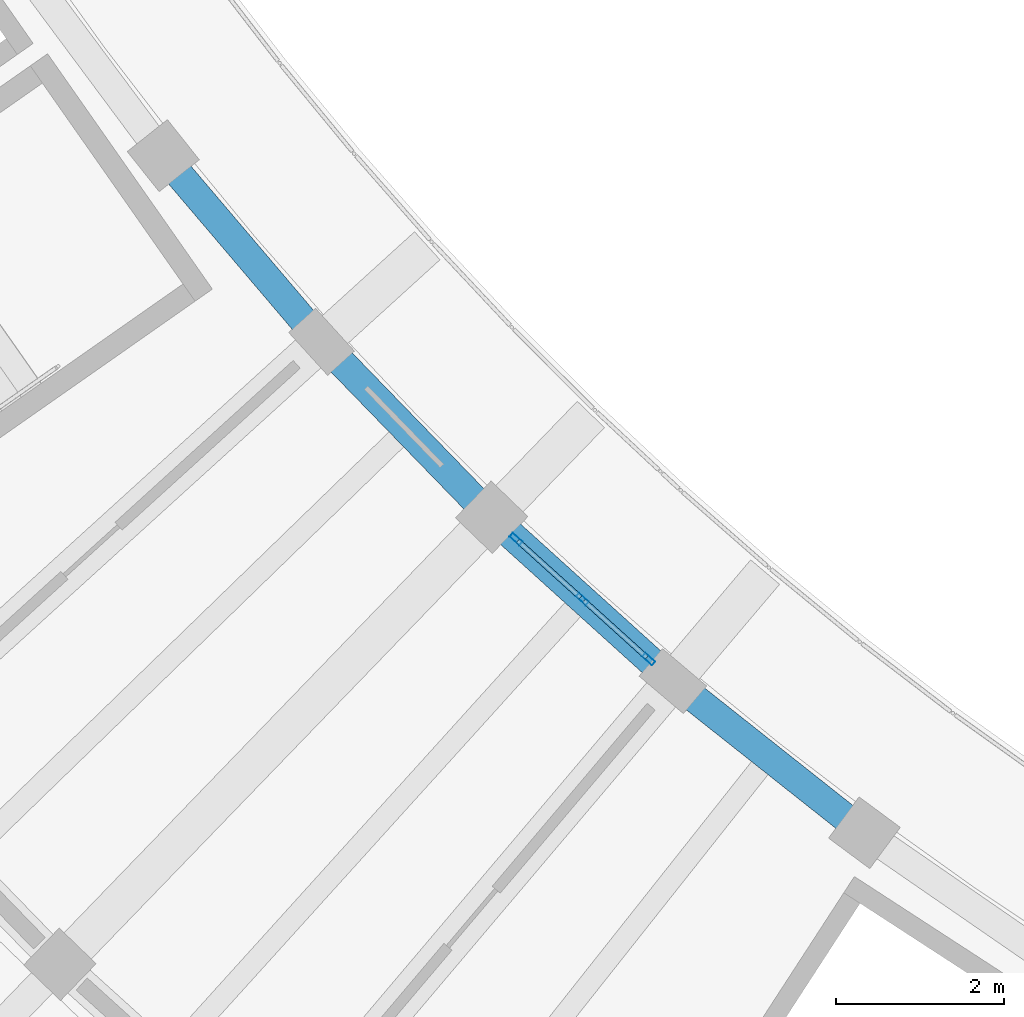
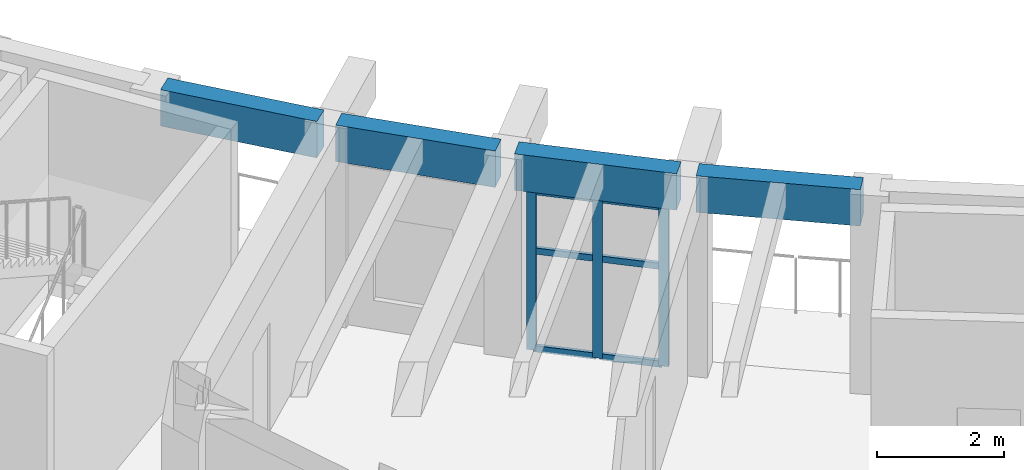
# One storey, part 7 of 128: 9 members, 4 beams, 1 element without a shape of its own.
"""IFC4 building model written with IfcOpenShell, lengths in metres."""

from ifc_helpers import new_model, si_unit, direction, frame, origin, origin_2d, place, context, subcontext, project, spatial, rectangle, hollow_rectangle, extrude, material, material_profile, profile_set, type_object, element, aggregate, save


model = new_model("IFC4")

# Units and contexts
model_context = context("Model", 3, precision=1e-05, world=origin(), true_north=direction((0.0, 1.0)))
body_context = subcontext(model_context, "Body", "Model", "MODEL_VIEW")
ifc_project = project(units=[si_unit("LENGTHUNIT", "METRE"), si_unit("AREAUNIT", "SQUARE_METRE"), si_unit("VOLUMEUNIT", "CUBIC_METRE"), si_unit("PLANEANGLEUNIT", "RADIAN"), si_unit("MASSUNIT", "GRAM", prefix="KILO")], contexts=[model_context])

# Site, building, storey
site_placement = place(None, origin())
site = spatial("IfcSite", under=ifc_project, at=site_placement, CompositionType="ELEMENT")
building_placement = place(site_placement, origin())
building = spatial("IfcBuilding", under=site, at=building_placement, Name="Tanwirah Colonnade Gardens", CompositionType="ELEMENT")
storey_placement = place(building_placement, frame((0.0, 0.0, 4.760009765625)))
storey = spatial("IfcBuildingStorey", under=building, at=storey_placement, Name="L01", CompositionType="ELEMENT", Elevation=4.760009765625)

# Curtain wall, members
ifc_material_1 = material(Name="Bronze-anodised aluminium and solar-control low-E glass", Category="aluminium")
curtain_wall_type = type_object("IfcCurtainWallType", Name="CW-GDN", PredefinedType="NOTDEFINED", material=ifc_material_1)
curtain_wall_placement = place(storey_placement, origin())
curtain_wall = element("IfcCurtainWall", 1, at=curtain_wall_placement, inside=storey, type_object=curtain_wall_type, Name="Curtain Wall CW-C-L01-IN-08", PredefinedType="NOTDEFINED")
ifc_material_2 = material(Name="Bronze-anodised aluminium", Category="aluminium")
ifc_material_profile_1 = material_profile(ifc_material_2, hollow_rectangle(XDim=0.06005859375, YDim=0.159912109375, WallThickness=0.00390625, at=origin_2d()), Name="CW-MUL 60x160x4")
ifc_profile_set_1 = profile_set([ifc_material_profile_1], Name="Bronze-anodised aluminium")
member_type_1 = type_object("IfcMemberType", Name="CWM-60x160", PredefinedType="MULLION", material=ifc_profile_set_1)
member_1_placement = place(storey_placement, frame((34.41162109375, 32.263671875, 0.0), z_axis=(0.0, 0.0, 1.0), x_axis=(0.670750964954, 0.741682643058, 0.0)))
member_1 = element("IfcMember", 2, at=member_1_placement, type_object=member_type_1, Name="CW-GDN mullion 1", PredefinedType="MULLION", context=body_context, shape_type="SweptSolid", body=[
    extrude(hollow_rectangle(XDim=0.06005859375, YDim=0.159912109375, WallThickness=0.00390625, at=origin_2d()), origin(), (0.0, 0.0, 1.0), 3.074951171875),
])
member_2_placement = place(storey_placement, frame((35.201171875, 31.5498046875, 0.0), z_axis=(0.0, 0.0, 1.0), x_axis=(0.670750964954, 0.741682643058, 0.0)))
member_2 = element("IfcMember", 3, at=member_2_placement, type_object=member_type_1, Name="CW-GDN mullion 2", PredefinedType="MULLION", context=body_context, shape_type="SweptSolid", body=[
    extrude(hollow_rectangle(XDim=0.06005859375, YDim=0.159912109375, WallThickness=0.00390625, at=origin_2d()), origin(), (0.0, 0.0, 1.0), 3.074951171875),
])
member_3_placement = place(storey_placement, frame((35.990478515625, 30.8359375, 0.0), z_axis=(0.0, 0.0, 1.0), x_axis=(0.670750964954, 0.741682643058, 0.0)))
member_3 = element("IfcMember", 4, at=member_3_placement, type_object=member_type_1, Name="CW-GDN mullion 3", PredefinedType="MULLION", context=body_context, shape_type="SweptSolid", body=[
    extrude(hollow_rectangle(XDim=0.06005859375, YDim=0.159912109375, WallThickness=0.00390625, at=origin_2d()), origin(), (0.0, 0.0, 1.0), 3.074951171875),
])
ifc_material_profile_2 = material_profile(ifc_material_2, hollow_rectangle(XDim=0.06005859375, YDim=0.1201171875, WallThickness=0.00390625, at=origin_2d()), Name="CW-TRN 60x120x4")
ifc_profile_set_2 = profile_set([ifc_material_profile_2], Name="Bronze-anodised aluminium")
member_type_2 = type_object("IfcMemberType", Name="CWT-60x120", PredefinedType="USERDEFINED", material=ifc_profile_set_2)
member_4_placement = place(storey_placement, frame((34.433837890625, 32.24365234375, 0.030029296875), z_axis=(0.741817868758, -0.67060140888, 0.0), x_axis=(0.67060140888, 0.741817868758, 0.0)))
member_4 = element("IfcMember", 5, at=member_4_placement, type_object=member_type_2, Name="CW-GDN transom 1.1", ObjectType="TRANSOM", PredefinedType="USERDEFINED", context=body_context, shape_type="SweptSolid", body=[
    extrude(hollow_rectangle(XDim=0.06005859375, YDim=0.1201171875, WallThickness=0.00390625, at=origin_2d()), origin(), (0.0, 0.0, 1.0), 1.00439453125),
])
member_5_placement = place(storey_placement, frame((34.433837890625, 32.24365234375, 1.906494140625), z_axis=(0.741817868758, -0.67060140888, 0.0), x_axis=(0.67060140888, 0.741817868758, 0.0)))
member_5 = element("IfcMember", 6, at=member_5_placement, type_object=member_type_2, Name="CW-GDN transom 1.2", ObjectType="TRANSOM", PredefinedType="USERDEFINED", context=body_context, shape_type="SweptSolid", body=[
    extrude(hollow_rectangle(XDim=0.06005859375, YDim=0.1201171875, WallThickness=0.00390625, at=origin_2d()), origin(), (0.0, 0.0, 1.0), 1.00439453125),
])
member_6_placement = place(storey_placement, frame((34.433837890625, 32.24365234375, 3.044921875), z_axis=(0.741817868758, -0.67060140888, 0.0), x_axis=(0.67060140888, 0.741817868758, 0.0)))
member_6 = element("IfcMember", 7, at=member_6_placement, type_object=member_type_2, Name="CW-GDN transom 1.3", ObjectType="TRANSOM", PredefinedType="USERDEFINED", context=body_context, shape_type="SweptSolid", body=[
    extrude(hollow_rectangle(XDim=0.06005859375, YDim=0.1201171875, WallThickness=0.00390625, at=origin_2d()), origin(), (0.0, 0.0, 1.0), 1.00439453125),
])
member_7_placement = place(storey_placement, frame((35.223388671875, 31.52978515625, 0.030029296875), z_axis=(0.741587602232, -0.67085604135, 0.0), x_axis=(0.67085604135, 0.741587602232, 0.0)))
member_7 = element("IfcMember", 8, at=member_7_placement, type_object=member_type_2, Name="CW-GDN transom 2.1", ObjectType="TRANSOM", PredefinedType="USERDEFINED", context=body_context, shape_type="SweptSolid", body=[
    extrude(hollow_rectangle(XDim=0.06005859375, YDim=0.1201171875, WallThickness=0.00390625, at=origin_2d()), origin(), (0.0, 0.0, 1.0), 1.00439453125),
])
member_8_placement = place(storey_placement, frame((35.223388671875, 31.52978515625, 1.906494140625), z_axis=(0.741587602232, -0.67085604135, 0.0), x_axis=(0.67085604135, 0.741587602232, 0.0)))
member_8 = element("IfcMember", 9, at=member_8_placement, type_object=member_type_2, Name="CW-GDN transom 2.2", ObjectType="TRANSOM", PredefinedType="USERDEFINED", context=body_context, shape_type="SweptSolid", body=[
    extrude(hollow_rectangle(XDim=0.06005859375, YDim=0.1201171875, WallThickness=0.00390625, at=origin_2d()), origin(), (0.0, 0.0, 1.0), 1.00439453125),
])
member_9_placement = place(storey_placement, frame((35.223388671875, 31.52978515625, 3.044921875), z_axis=(0.741587602232, -0.67085604135, 0.0), x_axis=(0.67085604135, 0.741587602232, 0.0)))
member_9 = element("IfcMember", 10, at=member_9_placement, type_object=member_type_2, Name="CW-GDN transom 2.3", ObjectType="TRANSOM", PredefinedType="USERDEFINED", context=body_context, shape_type="SweptSolid", body=[
    extrude(hollow_rectangle(XDim=0.06005859375, YDim=0.1201171875, WallThickness=0.00390625, at=origin_2d()), origin(), (0.0, 0.0, 1.0), 1.00439453125),
])
aggregate(curtain_wall, [member_1, member_2, member_3, member_4, member_5, member_6, member_7, member_8, member_9])

# Beams
ifc_material_3 = material(Name="Precast concrete C45/55", Category="concrete")
ifc_material_profile_3 = material_profile(ifc_material_3, rectangle(XDim=0.340087890625, YDim=0.699951171875, at=origin_2d()), Name="PC-SP 340x700")
ifc_profile_set_3 = profile_set([ifc_material_profile_3], Name="Precast concrete C45/55")
beam_type = type_object("IfcBeamType", Name="SP-PC340", PredefinedType="SPANDREL", material=ifc_profile_set_3)
beam_1_placement = place(storey_placement, frame((30.310302734375, 36.71484375, 3.47509765625), z_axis=(0.647811402053, -0.761800753065, 0.0), x_axis=(0.761800753065, 0.647811402053, 0.0)))
element("IfcBeam", 11, at=beam_1_placement, inside=storey, type_object=beam_type, Name="Block C L01 Circumferential Beam 6-R0", PredefinedType="SPANDREL", context=body_context, shape_type="SweptSolid", body=[
    extrude(rectangle(XDim=0.340087890625, YDim=0.699951171875, at=origin_2d()), origin(), (0.0, 0.0, 1.0), 2.608642578125),
])
beam_2_placement = place(storey_placement, frame((32.20166015625, 34.505615234375, 3.47509765625), z_axis=(0.696262751108, -0.717787002822, 0.0), x_axis=(0.717787002822, 0.696262751108, 0.0)))
element("IfcBeam", 12, at=beam_2_placement, inside=storey, type_object=beam_type, Name="Block C L01 Circumferential Beam 7-R0", PredefinedType="SPANDREL", context=body_context, shape_type="SweptSolid", body=[
    extrude(rectangle(XDim=0.340087890625, YDim=0.699951171875, at=origin_2d()), origin(), (0.0, 0.0, 1.0), 2.60888671875),
])
beam_3_placement = place(storey_placement, frame((34.233642578125, 32.4248046875, 3.47509765625), z_axis=(0.741686528432, -0.670746668678, 0.0), x_axis=(0.670746668678, 0.741686528432, 0.0)))
element("IfcBeam", 13, at=beam_3_placement, inside=storey, type_object=beam_type, Name="Block C L01 Circumferential Beam 8-R0", PredefinedType="SPANDREL", context=body_context, shape_type="SweptSolid", body=[
    extrude(rectangle(XDim=0.340087890625, YDim=0.699951171875, at=origin_2d()), origin(), (0.0, 0.0, 1.0), 2.608642578125),
])
beam_4_placement = place(storey_placement, frame((36.3974609375, 30.481201171875, 3.47509765625), z_axis=(0.783945239852, -0.62082997746, 0.0), x_axis=(0.62082997746, 0.783945239852, 0.0)))
element("IfcBeam", 14, at=beam_4_placement, inside=storey, type_object=beam_type, Name="Block C L01 Circumferential Beam 9-R0", PredefinedType="SPANDREL", context=body_context, shape_type="SweptSolid", body=[
    extrude(rectangle(XDim=0.340087890625, YDim=0.699951171875, at=origin_2d()), origin(), (0.0, 0.0, 1.0), 2.60888671875),
])

save(model, "model.ifc")
